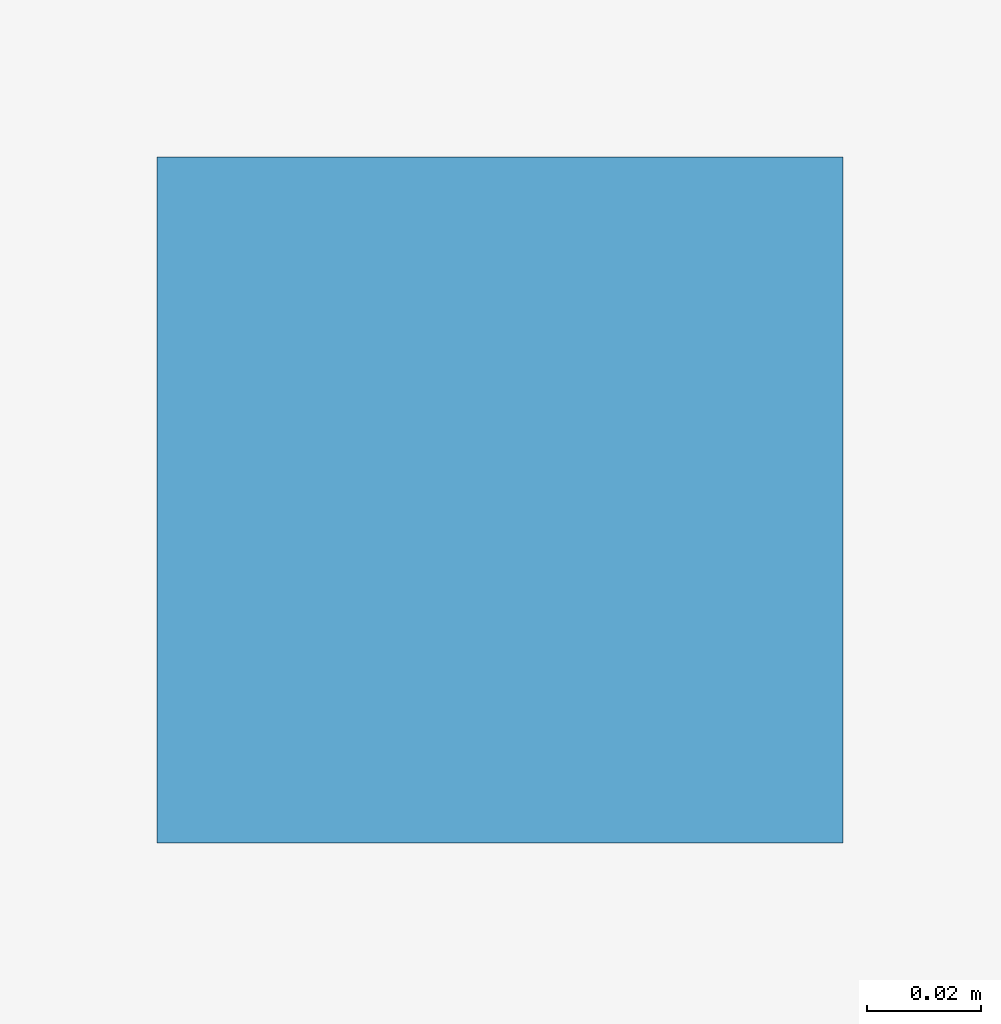
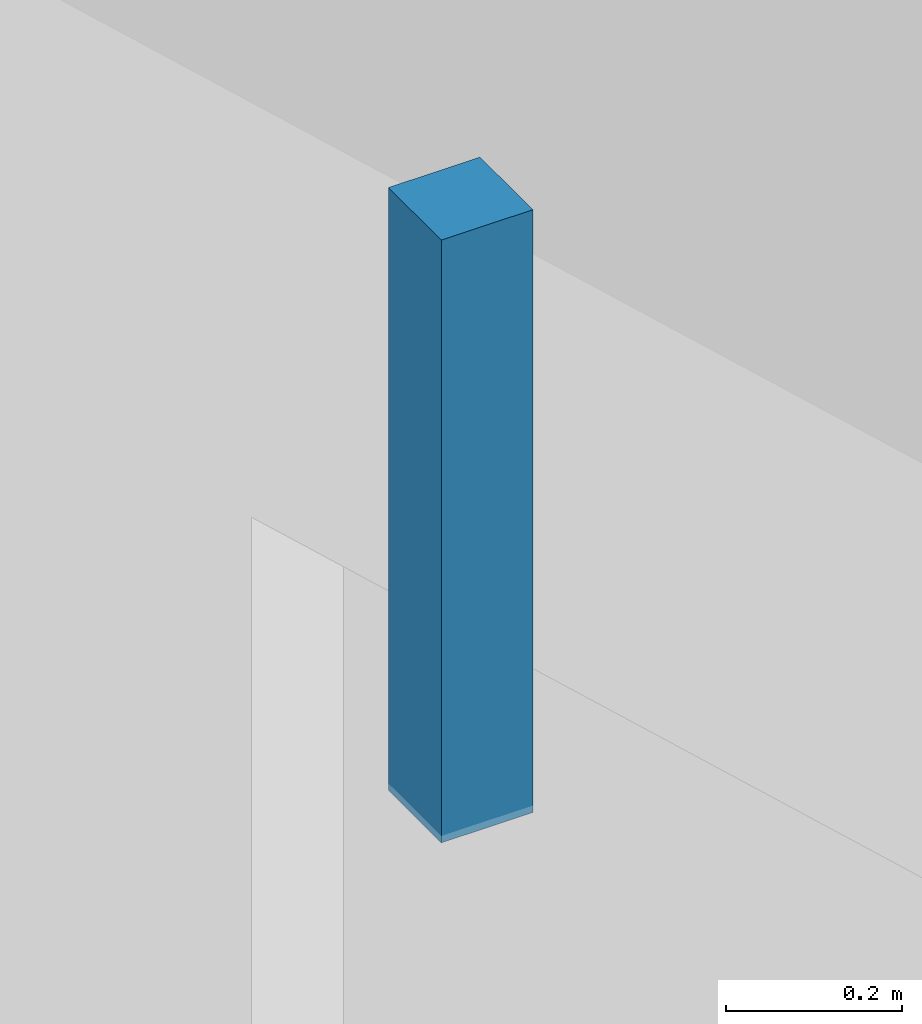
# One storey, part 107 of 125: 1 discrete accessory.
"""IFC4 building model written with IfcOpenShell, lengths in metres."""

from ifc_helpers import new_model, si_unit, direction, frame, origin, origin_2d, place, context, subcontext, project, spatial, rectangle, extrude, material, type_object, element, save


model = new_model("IFC4")

# Units and contexts
model_context = context("Model", 3, precision=1e-05, world=origin(), true_north=direction((0.0, 1.0)))
body_context = subcontext(model_context, "Body", "Model", "MODEL_VIEW")
ifc_project = project(units=[si_unit("LENGTHUNIT", "METRE"), si_unit("AREAUNIT", "SQUARE_METRE"), si_unit("VOLUMEUNIT", "CUBIC_METRE"), si_unit("PLANEANGLEUNIT", "RADIAN"), si_unit("MASSUNIT", "GRAM", prefix="KILO")], contexts=[model_context])

# Site, building, storey
site_placement = place(None, origin())
site = spatial("IfcSite", under=ifc_project, at=site_placement, CompositionType="ELEMENT")
building_placement = place(site_placement, origin())
building = spatial("IfcBuilding", under=site, at=building_placement, Name="Wrenclough Park School", CompositionType="ELEMENT")
storey_placement = place(building_placement, frame((0.0, 0.0, 4.199951171875)))
storey = spatial("IfcBuildingStorey", under=building, at=storey_placement, Name="L01", CompositionType="ELEMENT", Elevation=4.199951171875)

# Discrete accessory
ifc_material = material(Name="Galvanised steel acoustic ceiling suspension hanger", Category="steel")
discrete_accessory_type = type_object("IfcDiscreteAccessoryType", Name="INT-BRK-HGR", PredefinedType="BRACKET", material=ifc_material)
discrete_accessory_placement = place(storey_placement, frame((28.215087890625, 60.887451171875, 3.090087890625), z_axis=(0.0, 0.0, 1.0), x_axis=(1.0, 0.0, 0.0)))
element("IfcDiscreteAccessory", 1, at=discrete_accessory_placement, inside=storey, type_object=discrete_accessory_type, Name="Acoustic ceiling hanger bracket 0039", PredefinedType="BRACKET", context=body_context, shape_type="SweptSolid", body=[
    extrude(rectangle(XDim=0.1201171875, YDim=0.1201171875, at=origin_2d()), origin(), (0.0, 0.0, 1.0), 0.8349609375),
])

save(model, "model.ifc")
